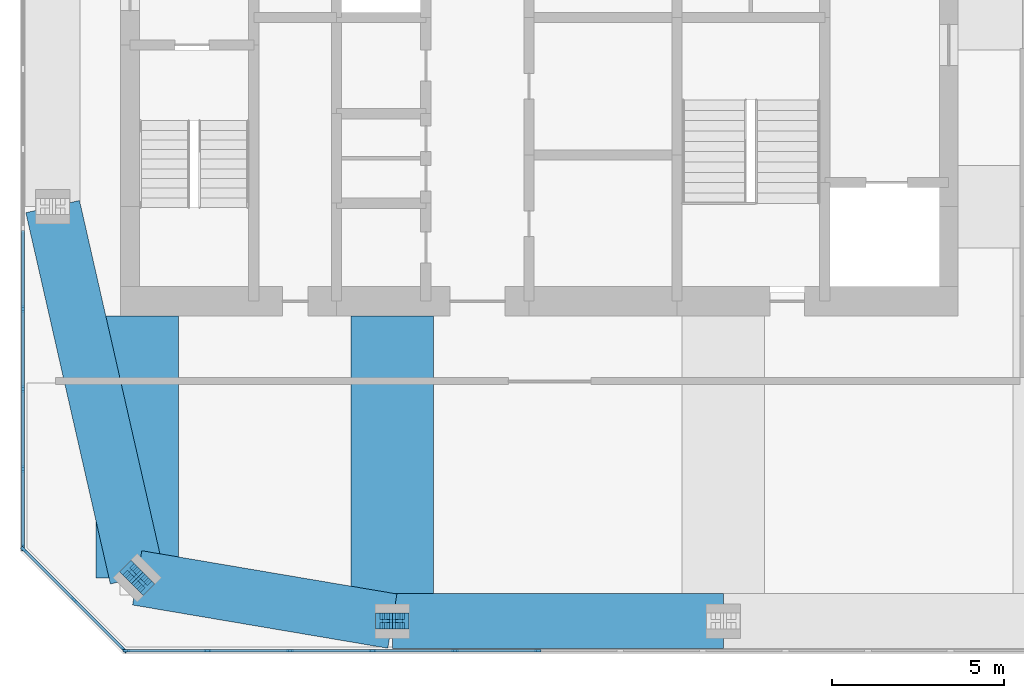
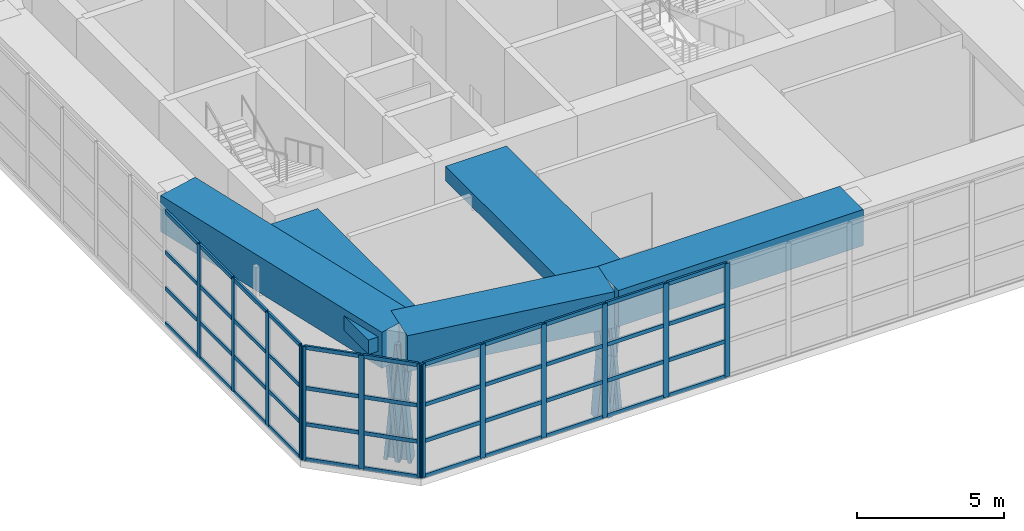
# One storey, part 2 of 14: 65 members, 5 beams, 3 elements without a shape of their own.
"""IFC4 building model written with IfcOpenShell, lengths in metres."""

from ifc_helpers import new_model, si_unit, direction, frame, origin, origin_2d, place, context, subcontext, project, spatial, rectangle, i_section, extrude, material, material_profile, profile_set, type_object, element, aggregate, save


model = new_model("IFC4")

# Units and contexts
model_context = context("Model", 3, precision=1e-05, world=origin(), true_north=direction((0.0, 1.0)))
body_context = subcontext(model_context, "Body", "Model", "MODEL_VIEW")
ifc_project = project(units=[si_unit("LENGTHUNIT", "METRE"), si_unit("AREAUNIT", "SQUARE_METRE"), si_unit("VOLUMEUNIT", "CUBIC_METRE"), si_unit("PLANEANGLEUNIT", "RADIAN"), si_unit("MASSUNIT", "GRAM", prefix="KILO")], contexts=[model_context])

# Site, building, storey
site_placement = place(None, origin())
site = spatial("IfcSite", under=ifc_project, at=site_placement, CompositionType="ELEMENT")
building_placement = place(site_placement, origin())
building = spatial("IfcBuilding", under=site, at=building_placement, Name="Jalousie Tower", CompositionType="ELEMENT")
storey_placement = place(building_placement, frame((0.0, 0.0, 267.75)))
storey = spatial("IfcBuildingStorey", under=building, at=storey_placement, Name="L73", CompositionType="ELEMENT", Elevation=267.75)

# Curtain wall, members
ifc_material_1 = material(Name="Aluminium curtain wall", Category="aluminium")
curtain_wall_type = type_object("IfcCurtainWallType", Name="CROWN LOUVRE WALL", PredefinedType="USERDEFINED", material=ifc_material_1)
curtain_wall_1_placement = place(storey_placement, origin())
curtain_wall_1 = element("IfcCurtainWall", 1, at=curtain_wall_1_placement, inside=storey, type_object=curtain_wall_type, Name="Crown Louvre Wall L73 1", ObjectType="CROWN LOUVRE WALL", PredefinedType="USERDEFINED")
ifc_material_2 = material(Name="Aluminium mullion", Category="aluminium")
ifc_material_profile_1 = material_profile(ifc_material_2, rectangle(XDim=0.080078125, YDim=0.199951171875, at=origin_2d()), Name="MULLION 80x200")
ifc_profile_set_1 = profile_set([ifc_material_profile_1], Name="Aluminium mullion")
member_type_1 = type_object("IfcMemberType", Name="CROWN LOUVRE WALL MULLION", PredefinedType="MULLION", material=ifc_profile_set_1)
member_1_placement = place(storey_placement, frame((19.891357421875, 0.08740234375, 0.0), z_axis=(0.0, 0.0, 1.0), x_axis=(0.0, 1.0, 0.0)))
member_1 = element("IfcMember", 2, at=member_1_placement, type_object=member_type_1, Name="CW-L mullion 1", PredefinedType="MULLION", context=body_context, shape_type="SweptSolid", body=[
    extrude(rectangle(XDim=0.080078125, YDim=0.199951171875, at=origin_2d()), origin(), (0.0, 0.0, 1.0), 4.719970703125),
])
member_2_placement = place(storey_placement, frame((22.251220703125, 0.08740234375, 0.0), z_axis=(0.0, 0.0, 1.0), x_axis=(0.0, 1.0, 0.0)))
member_2 = element("IfcMember", 3, at=member_2_placement, type_object=member_type_1, Name="CW-L mullion 2", PredefinedType="MULLION", context=body_context, shape_type="SweptSolid", body=[
    extrude(rectangle(XDim=0.080078125, YDim=0.199951171875, at=origin_2d()), origin(), (0.0, 0.0, 1.0), 4.719970703125),
])
member_3_placement = place(storey_placement, frame((24.65087890625, 0.08740234375, 0.0), z_axis=(0.0, 0.0, 1.0), x_axis=(0.0, 1.0, 0.0)))
member_3 = element("IfcMember", 4, at=member_3_placement, type_object=member_type_1, Name="CW-L mullion 3", PredefinedType="MULLION", context=body_context, shape_type="SweptSolid", body=[
    extrude(rectangle(XDim=0.080078125, YDim=0.199951171875, at=origin_2d()), origin(), (0.0, 0.0, 1.0), 4.719970703125),
])
member_4_placement = place(storey_placement, frame((27.05078125, 0.08740234375, 0.0), z_axis=(0.0, 0.0, 1.0), x_axis=(0.0, 1.0, 0.0)))
member_4 = element("IfcMember", 5, at=member_4_placement, type_object=member_type_1, Name="CW-L mullion 4", PredefinedType="MULLION", context=body_context, shape_type="SweptSolid", body=[
    extrude(rectangle(XDim=0.080078125, YDim=0.199951171875, at=origin_2d()), origin(), (0.0, 0.0, 1.0), 4.719970703125),
])
member_5_placement = place(storey_placement, frame((29.450439453125, 0.08740234375, 0.0), z_axis=(0.0, 0.0, 1.0), x_axis=(0.0, 1.0, 0.0)))
member_5 = element("IfcMember", 6, at=member_5_placement, type_object=member_type_1, Name="CW-L mullion 5", PredefinedType="MULLION", context=body_context, shape_type="SweptSolid", body=[
    extrude(rectangle(XDim=0.080078125, YDim=0.199951171875, at=origin_2d()), origin(), (0.0, 0.0, 1.0), 4.719970703125),
])
member_6_placement = place(storey_placement, frame((31.850341796875, 0.08740234375, 0.0), z_axis=(0.0, 0.0, 1.0), x_axis=(0.0, 1.0, 0.0)))
member_6 = element("IfcMember", 7, at=member_6_placement, type_object=member_type_1, Name="CW-L mullion 6", PredefinedType="MULLION", context=body_context, shape_type="SweptSolid", body=[
    extrude(rectangle(XDim=0.080078125, YDim=0.199951171875, at=origin_2d()), origin(), (0.0, 0.0, 1.0), 4.719970703125),
])

curtain_wall_2_placement = place(storey_placement, origin())
curtain_wall_2 = element("IfcCurtainWall", 8, at=curtain_wall_2_placement, inside=storey, type_object=curtain_wall_type, Name="Crown Louvre Wall L73 7", ObjectType="CROWN LOUVRE WALL", PredefinedType="USERDEFINED")
member_7_placement = place(storey_placement, frame((16.887451171875, 10.025634765625, 0.0), z_axis=(0.0, 0.0, 1.0), x_axis=(1.0, 0.0, 0.0)))
member_7 = element("IfcMember", 9, at=member_7_placement, type_object=member_type_1, Name="CW-L mullion 10", PredefinedType="MULLION", context=body_context, shape_type="SweptSolid", body=[
    extrude(rectangle(XDim=0.080078125, YDim=0.199951171875, at=origin_2d()), origin(), (0.0, 0.0, 1.0), 4.719970703125),
])
member_8_placement = place(storey_placement, frame((16.887451171875, 7.700927734375, 0.0), z_axis=(0.0, 0.0, 1.0), x_axis=(1.0, 0.0, 0.0)))
member_8 = element("IfcMember", 10, at=member_8_placement, type_object=member_type_1, Name="CW-L mullion 11", PredefinedType="MULLION", context=body_context, shape_type="SweptSolid", body=[
    extrude(rectangle(XDim=0.080078125, YDim=0.199951171875, at=origin_2d()), origin(), (0.0, 0.0, 1.0), 4.719970703125),
])
member_9_placement = place(storey_placement, frame((16.887451171875, 5.3759765625, 0.0), z_axis=(0.0, 0.0, 1.0), x_axis=(1.0, 0.0, 0.0)))
member_9 = element("IfcMember", 11, at=member_9_placement, type_object=member_type_1, Name="CW-L mullion 12", PredefinedType="MULLION", context=body_context, shape_type="SweptSolid", body=[
    extrude(rectangle(XDim=0.080078125, YDim=0.199951171875, at=origin_2d()), origin(), (0.0, 0.0, 1.0), 4.719970703125),
])
member_10_placement = place(storey_placement, frame((16.887451171875, 3.09130859375, 0.0), z_axis=(0.0, 0.0, 1.0), x_axis=(1.0, 0.0, 0.0)))
member_10 = element("IfcMember", 12, at=member_10_placement, type_object=member_type_1, Name="CW-L mullion 13", PredefinedType="MULLION", context=body_context, shape_type="SweptSolid", body=[
    extrude(rectangle(XDim=0.080078125, YDim=0.199951171875, at=origin_2d()), origin(), (0.0, 0.0, 1.0), 4.719970703125),
])

curtain_wall_3_placement = place(storey_placement, origin())
curtain_wall_3 = element("IfcCurtainWall", 13, at=curtain_wall_3_placement, inside=storey, type_object=curtain_wall_type, Name="Crown Louvre Wall L73 8", ObjectType="CROWN LOUVRE WALL", PredefinedType="USERDEFINED")
member_11_placement = place(storey_placement, frame((16.915771484375, 3.02294921875, 0.0), z_axis=(0.0, 0.0, 1.0), x_axis=(0.707106781187, 0.707106781187, 0.0)))
member_11 = element("IfcMember", 14, at=member_11_placement, type_object=member_type_1, Name="CW-L mullion 1", PredefinedType="MULLION", context=body_context, shape_type="SweptSolid", body=[
    extrude(rectangle(XDim=0.080078125, YDim=0.199951171875, at=origin_2d()), origin(), (0.0, 0.0, 1.0), 4.719970703125),
])
member_12_placement = place(storey_placement, frame((18.369384765625, 1.5693359375, 0.0), z_axis=(0.0, 0.0, 1.0), x_axis=(0.707106781187, 0.707106781187, 0.0)))
member_12 = element("IfcMember", 15, at=member_12_placement, type_object=member_type_1, Name="CW-L mullion 2", PredefinedType="MULLION", context=body_context, shape_type="SweptSolid", body=[
    extrude(rectangle(XDim=0.080078125, YDim=0.199951171875, at=origin_2d()), origin(), (0.0, 0.0, 1.0), 4.719970703125),
])
member_13_placement = place(storey_placement, frame((19.822998046875, 0.11572265625, 0.0), z_axis=(0.0, 0.0, 1.0), x_axis=(0.707106781187, 0.707106781187, 0.0)))
member_13 = element("IfcMember", 16, at=member_13_placement, type_object=member_type_1, Name="CW-L mullion 3", PredefinedType="MULLION", context=body_context, shape_type="SweptSolid", body=[
    extrude(rectangle(XDim=0.080078125, YDim=0.199951171875, at=origin_2d()), origin(), (0.0, 0.0, 1.0), 4.719970703125),
])

# Member
ifc_material_3 = material(Name="Aluminium transom", Category="aluminium")
ifc_material_profile_2 = material_profile(ifc_material_3, rectangle(XDim=0.080078125, YDim=0.159912109375, at=origin_2d()), Name="TRANSOM 80x160")
ifc_profile_set_2 = profile_set([ifc_material_profile_2], Name="Aluminium transom")
member_type_2 = type_object("IfcMemberType", Name="CROWN LOUVRE WALL TRANSOM", PredefinedType="USERDEFINED", material=ifc_profile_set_2)
member_14_placement = place(storey_placement, frame((19.931396484375, 0.08740234375, 0.0400390625), z_axis=(1.0, 0.0, 0.0), x_axis=(0.0, 1.0, 0.0)))
member_14 = element("IfcMember", 17, at=member_14_placement, type_object=member_type_2, Name="CW-L transom 1.1", ObjectType="TRANSOM", PredefinedType="USERDEFINED", context=body_context, shape_type="SweptSolid", body=[
    extrude(rectangle(XDim=0.080078125, YDim=0.159912109375, at=origin_2d()), origin(), (0.0, 0.0, 1.0), 2.27978515625),
])

member_15_placement = place(storey_placement, frame((19.931396484375, 0.08740234375, 1.5), z_axis=(1.0, 0.0, 0.0), x_axis=(0.0, 1.0, 0.0)))
member_15 = element("IfcMember", 18, at=member_15_placement, type_object=member_type_2, Name="CW-L transom 1.2", ObjectType="TRANSOM", PredefinedType="USERDEFINED", context=body_context, shape_type="SweptSolid", body=[
    extrude(rectangle(XDim=0.080078125, YDim=0.159912109375, at=origin_2d()), origin(), (0.0, 0.0, 1.0), 2.27978515625),
])

member_16_placement = place(storey_placement, frame((19.931396484375, 0.08740234375, 3.0), z_axis=(1.0, 0.0, 0.0), x_axis=(0.0, 1.0, 0.0)))
member_16 = element("IfcMember", 19, at=member_16_placement, type_object=member_type_2, Name="CW-L transom 1.3", ObjectType="TRANSOM", PredefinedType="USERDEFINED", context=body_context, shape_type="SweptSolid", body=[
    extrude(rectangle(XDim=0.080078125, YDim=0.159912109375, at=origin_2d()), origin(), (0.0, 0.0, 1.0), 2.27978515625),
])

member_17_placement = place(storey_placement, frame((19.931396484375, 0.08740234375, 4.679931640625), z_axis=(1.0, 0.0, 0.0), x_axis=(0.0, 1.0, 0.0)))
member_17 = element("IfcMember", 20, at=member_17_placement, type_object=member_type_2, Name="CW-L transom 1.4", ObjectType="TRANSOM", PredefinedType="USERDEFINED", context=body_context, shape_type="SweptSolid", body=[
    extrude(rectangle(XDim=0.080078125, YDim=0.159912109375, at=origin_2d()), origin(), (0.0, 0.0, 1.0), 2.27978515625),
])

member_18_placement = place(storey_placement, frame((22.291015625, 0.08740234375, 0.0400390625), z_axis=(1.0, 0.0, 0.0), x_axis=(0.0, 1.0, 0.0)))
member_18 = element("IfcMember", 21, at=member_18_placement, type_object=member_type_2, Name="CW-L transom 2.1", ObjectType="TRANSOM", PredefinedType="USERDEFINED", context=body_context, shape_type="SweptSolid", body=[
    extrude(rectangle(XDim=0.080078125, YDim=0.159912109375, at=origin_2d()), origin(), (0.0, 0.0, 1.0), 2.31982421875),
])

member_19_placement = place(storey_placement, frame((22.291015625, 0.08740234375, 1.5), z_axis=(1.0, 0.0, 0.0), x_axis=(0.0, 1.0, 0.0)))
member_19 = element("IfcMember", 22, at=member_19_placement, type_object=member_type_2, Name="CW-L transom 2.2", ObjectType="TRANSOM", PredefinedType="USERDEFINED", context=body_context, shape_type="SweptSolid", body=[
    extrude(rectangle(XDim=0.080078125, YDim=0.159912109375, at=origin_2d()), origin(), (0.0, 0.0, 1.0), 2.31982421875),
])

member_20_placement = place(storey_placement, frame((22.291015625, 0.08740234375, 3.0), z_axis=(1.0, 0.0, 0.0), x_axis=(0.0, 1.0, 0.0)))
member_20 = element("IfcMember", 23, at=member_20_placement, type_object=member_type_2, Name="CW-L transom 2.3", ObjectType="TRANSOM", PredefinedType="USERDEFINED", context=body_context, shape_type="SweptSolid", body=[
    extrude(rectangle(XDim=0.080078125, YDim=0.159912109375, at=origin_2d()), origin(), (0.0, 0.0, 1.0), 2.31982421875),
])

member_21_placement = place(storey_placement, frame((22.291015625, 0.08740234375, 4.679931640625), z_axis=(1.0, 0.0, 0.0), x_axis=(0.0, 1.0, 0.0)))
member_21 = element("IfcMember", 24, at=member_21_placement, type_object=member_type_2, Name="CW-L transom 2.4", ObjectType="TRANSOM", PredefinedType="USERDEFINED", context=body_context, shape_type="SweptSolid", body=[
    extrude(rectangle(XDim=0.080078125, YDim=0.159912109375, at=origin_2d()), origin(), (0.0, 0.0, 1.0), 2.31982421875),
])

member_22_placement = place(storey_placement, frame((24.69091796875, 0.08740234375, 0.0400390625), z_axis=(1.0, 0.0, 0.0), x_axis=(0.0, 1.0, 0.0)))
member_22 = element("IfcMember", 25, at=member_22_placement, type_object=member_type_2, Name="CW-L transom 3.1", ObjectType="TRANSOM", PredefinedType="USERDEFINED", context=body_context, shape_type="SweptSolid", body=[
    extrude(rectangle(XDim=0.080078125, YDim=0.159912109375, at=origin_2d()), origin(), (0.0, 0.0, 1.0), 2.31982421875),
])

member_23_placement = place(storey_placement, frame((24.69091796875, 0.08740234375, 1.5), z_axis=(1.0, 0.0, 0.0), x_axis=(0.0, 1.0, 0.0)))
member_23 = element("IfcMember", 26, at=member_23_placement, type_object=member_type_2, Name="CW-L transom 3.2", ObjectType="TRANSOM", PredefinedType="USERDEFINED", context=body_context, shape_type="SweptSolid", body=[
    extrude(rectangle(XDim=0.080078125, YDim=0.159912109375, at=origin_2d()), origin(), (0.0, 0.0, 1.0), 2.31982421875),
])

member_24_placement = place(storey_placement, frame((24.69091796875, 0.08740234375, 3.0), z_axis=(1.0, 0.0, 0.0), x_axis=(0.0, 1.0, 0.0)))
member_24 = element("IfcMember", 27, at=member_24_placement, type_object=member_type_2, Name="CW-L transom 3.3", ObjectType="TRANSOM", PredefinedType="USERDEFINED", context=body_context, shape_type="SweptSolid", body=[
    extrude(rectangle(XDim=0.080078125, YDim=0.159912109375, at=origin_2d()), origin(), (0.0, 0.0, 1.0), 2.31982421875),
])

member_25_placement = place(storey_placement, frame((24.69091796875, 0.08740234375, 4.679931640625), z_axis=(1.0, 0.0, 0.0), x_axis=(0.0, 1.0, 0.0)))
member_25 = element("IfcMember", 28, at=member_25_placement, type_object=member_type_2, Name="CW-L transom 3.4", ObjectType="TRANSOM", PredefinedType="USERDEFINED", context=body_context, shape_type="SweptSolid", body=[
    extrude(rectangle(XDim=0.080078125, YDim=0.159912109375, at=origin_2d()), origin(), (0.0, 0.0, 1.0), 2.31982421875),
])

member_26_placement = place(storey_placement, frame((27.0908203125, 0.08740234375, 0.0400390625), z_axis=(1.0, 0.0, 0.0), x_axis=(0.0, 1.0, 0.0)))
member_26 = element("IfcMember", 29, at=member_26_placement, type_object=member_type_2, Name="CW-L transom 4.1", ObjectType="TRANSOM", PredefinedType="USERDEFINED", context=body_context, shape_type="SweptSolid", body=[
    extrude(rectangle(XDim=0.080078125, YDim=0.159912109375, at=origin_2d()), origin(), (0.0, 0.0, 1.0), 2.31982421875),
])

member_27_placement = place(storey_placement, frame((27.0908203125, 0.08740234375, 1.5), z_axis=(1.0, 0.0, 0.0), x_axis=(0.0, 1.0, 0.0)))
member_27 = element("IfcMember", 30, at=member_27_placement, type_object=member_type_2, Name="CW-L transom 4.2", ObjectType="TRANSOM", PredefinedType="USERDEFINED", context=body_context, shape_type="SweptSolid", body=[
    extrude(rectangle(XDim=0.080078125, YDim=0.159912109375, at=origin_2d()), origin(), (0.0, 0.0, 1.0), 2.31982421875),
])

member_28_placement = place(storey_placement, frame((27.0908203125, 0.08740234375, 3.0), z_axis=(1.0, 0.0, 0.0), x_axis=(0.0, 1.0, 0.0)))
member_28 = element("IfcMember", 31, at=member_28_placement, type_object=member_type_2, Name="CW-L transom 4.3", ObjectType="TRANSOM", PredefinedType="USERDEFINED", context=body_context, shape_type="SweptSolid", body=[
    extrude(rectangle(XDim=0.080078125, YDim=0.159912109375, at=origin_2d()), origin(), (0.0, 0.0, 1.0), 2.31982421875),
])

member_29_placement = place(storey_placement, frame((27.0908203125, 0.08740234375, 4.679931640625), z_axis=(1.0, 0.0, 0.0), x_axis=(0.0, 1.0, 0.0)))
member_29 = element("IfcMember", 32, at=member_29_placement, type_object=member_type_2, Name="CW-L transom 4.4", ObjectType="TRANSOM", PredefinedType="USERDEFINED", context=body_context, shape_type="SweptSolid", body=[
    extrude(rectangle(XDim=0.080078125, YDim=0.159912109375, at=origin_2d()), origin(), (0.0, 0.0, 1.0), 2.31982421875),
])

member_30_placement = place(storey_placement, frame((29.490478515625, 0.08740234375, 0.0400390625), z_axis=(1.0, 0.0, 0.0), x_axis=(0.0, 1.0, 0.0)))
member_30 = element("IfcMember", 33, at=member_30_placement, type_object=member_type_2, Name="CW-L transom 5.1", ObjectType="TRANSOM", PredefinedType="USERDEFINED", context=body_context, shape_type="SweptSolid", body=[
    extrude(rectangle(XDim=0.080078125, YDim=0.159912109375, at=origin_2d()), origin(), (0.0, 0.0, 1.0), 2.31982421875),
])

member_31_placement = place(storey_placement, frame((29.490478515625, 0.08740234375, 1.5), z_axis=(1.0, 0.0, 0.0), x_axis=(0.0, 1.0, 0.0)))
member_31 = element("IfcMember", 34, at=member_31_placement, type_object=member_type_2, Name="CW-L transom 5.2", ObjectType="TRANSOM", PredefinedType="USERDEFINED", context=body_context, shape_type="SweptSolid", body=[
    extrude(rectangle(XDim=0.080078125, YDim=0.159912109375, at=origin_2d()), origin(), (0.0, 0.0, 1.0), 2.31982421875),
])

member_32_placement = place(storey_placement, frame((29.490478515625, 0.08740234375, 3.0), z_axis=(1.0, 0.0, 0.0), x_axis=(0.0, 1.0, 0.0)))
member_32 = element("IfcMember", 35, at=member_32_placement, type_object=member_type_2, Name="CW-L transom 5.3", ObjectType="TRANSOM", PredefinedType="USERDEFINED", context=body_context, shape_type="SweptSolid", body=[
    extrude(rectangle(XDim=0.080078125, YDim=0.159912109375, at=origin_2d()), origin(), (0.0, 0.0, 1.0), 2.31982421875),
])

member_33_placement = place(storey_placement, frame((29.490478515625, 0.08740234375, 4.679931640625), z_axis=(1.0, 0.0, 0.0), x_axis=(0.0, 1.0, 0.0)))
member_33 = element("IfcMember", 36, at=member_33_placement, type_object=member_type_2, Name="CW-L transom 5.4", ObjectType="TRANSOM", PredefinedType="USERDEFINED", context=body_context, shape_type="SweptSolid", body=[
    extrude(rectangle(XDim=0.080078125, YDim=0.159912109375, at=origin_2d()), origin(), (0.0, 0.0, 1.0), 2.31982421875),
])

aggregate(curtain_wall_1, [member_1, member_2, member_3, member_4, member_5, member_6, member_14, member_15, member_16, member_17, member_18, member_19, member_20, member_21, member_22, member_23, member_24, member_25, member_26, member_27, member_28, member_29, member_30, member_31, member_32, member_33])

member_34_placement = place(storey_placement, frame((16.887451171875, 12.310546875, 0.0400390625), z_axis=(0.0, -1.0, 0.0), x_axis=(1.0, 0.0, 0.0)))
member_34 = element("IfcMember", 37, at=member_34_placement, type_object=member_type_2, Name="CW-L transom 9.1", ObjectType="TRANSOM", PredefinedType="USERDEFINED", context=body_context, shape_type="SweptSolid", body=[
    extrude(rectangle(XDim=0.080078125, YDim=0.159912109375, at=origin_2d()), origin(), (0.0, 0.0, 1.0), 2.244873046875),
])

member_35_placement = place(storey_placement, frame((16.887451171875, 12.310546875, 1.5), z_axis=(0.0, -1.0, 0.0), x_axis=(1.0, 0.0, 0.0)))
member_35 = element("IfcMember", 38, at=member_35_placement, type_object=member_type_2, Name="CW-L transom 9.2", ObjectType="TRANSOM", PredefinedType="USERDEFINED", context=body_context, shape_type="SweptSolid", body=[
    extrude(rectangle(XDim=0.080078125, YDim=0.159912109375, at=origin_2d()), origin(), (0.0, 0.0, 1.0), 2.244873046875),
])

member_36_placement = place(storey_placement, frame((16.887451171875, 12.310546875, 3.0), z_axis=(0.0, -1.0, 0.0), x_axis=(1.0, 0.0, 0.0)))
member_36 = element("IfcMember", 39, at=member_36_placement, type_object=member_type_2, Name="CW-L transom 9.3", ObjectType="TRANSOM", PredefinedType="USERDEFINED", context=body_context, shape_type="SweptSolid", body=[
    extrude(rectangle(XDim=0.080078125, YDim=0.159912109375, at=origin_2d()), origin(), (0.0, 0.0, 1.0), 2.244873046875),
])

member_37_placement = place(storey_placement, frame((16.887451171875, 12.310546875, 4.679931640625), z_axis=(0.0, -1.0, 0.0), x_axis=(1.0, 0.0, 0.0)))
member_37 = element("IfcMember", 40, at=member_37_placement, type_object=member_type_2, Name="CW-L transom 9.4", ObjectType="TRANSOM", PredefinedType="USERDEFINED", context=body_context, shape_type="SweptSolid", body=[
    extrude(rectangle(XDim=0.080078125, YDim=0.159912109375, at=origin_2d()), origin(), (0.0, 0.0, 1.0), 2.244873046875),
])

member_38_placement = place(storey_placement, frame((16.887451171875, 9.985595703125, 0.0400390625), z_axis=(0.0, -1.0, 0.0), x_axis=(1.0, 0.0, 0.0)))
member_38 = element("IfcMember", 41, at=member_38_placement, type_object=member_type_2, Name="CW-L transom 10.1", ObjectType="TRANSOM", PredefinedType="USERDEFINED", context=body_context, shape_type="SweptSolid", body=[
    extrude(rectangle(XDim=0.080078125, YDim=0.159912109375, at=origin_2d()), origin(), (0.0, 0.0, 1.0), 2.24462890625),
])

member_39_placement = place(storey_placement, frame((16.887451171875, 9.985595703125, 1.5), z_axis=(0.0, -1.0, 0.0), x_axis=(1.0, 0.0, 0.0)))
member_39 = element("IfcMember", 42, at=member_39_placement, type_object=member_type_2, Name="CW-L transom 10.2", ObjectType="TRANSOM", PredefinedType="USERDEFINED", context=body_context, shape_type="SweptSolid", body=[
    extrude(rectangle(XDim=0.080078125, YDim=0.159912109375, at=origin_2d()), origin(), (0.0, 0.0, 1.0), 2.24462890625),
])

member_40_placement = place(storey_placement, frame((16.887451171875, 9.985595703125, 3.0), z_axis=(0.0, -1.0, 0.0), x_axis=(1.0, 0.0, 0.0)))
member_40 = element("IfcMember", 43, at=member_40_placement, type_object=member_type_2, Name="CW-L transom 10.3", ObjectType="TRANSOM", PredefinedType="USERDEFINED", context=body_context, shape_type="SweptSolid", body=[
    extrude(rectangle(XDim=0.080078125, YDim=0.159912109375, at=origin_2d()), origin(), (0.0, 0.0, 1.0), 2.24462890625),
])

member_41_placement = place(storey_placement, frame((16.887451171875, 9.985595703125, 4.679931640625), z_axis=(0.0, -1.0, 0.0), x_axis=(1.0, 0.0, 0.0)))
member_41 = element("IfcMember", 44, at=member_41_placement, type_object=member_type_2, Name="CW-L transom 10.4", ObjectType="TRANSOM", PredefinedType="USERDEFINED", context=body_context, shape_type="SweptSolid", body=[
    extrude(rectangle(XDim=0.080078125, YDim=0.159912109375, at=origin_2d()), origin(), (0.0, 0.0, 1.0), 2.24462890625),
])

member_42_placement = place(storey_placement, frame((16.887451171875, 7.660888671875, 0.0400390625), z_axis=(0.0, -1.0, 0.0), x_axis=(1.0, 0.0, 0.0)))
member_42 = element("IfcMember", 45, at=member_42_placement, type_object=member_type_2, Name="CW-L transom 11.1", ObjectType="TRANSOM", PredefinedType="USERDEFINED", context=body_context, shape_type="SweptSolid", body=[
    extrude(rectangle(XDim=0.080078125, YDim=0.159912109375, at=origin_2d()), origin(), (0.0, 0.0, 1.0), 2.244873046875),
])

member_43_placement = place(storey_placement, frame((16.887451171875, 7.660888671875, 1.5), z_axis=(0.0, -1.0, 0.0), x_axis=(1.0, 0.0, 0.0)))
member_43 = element("IfcMember", 46, at=member_43_placement, type_object=member_type_2, Name="CW-L transom 11.2", ObjectType="TRANSOM", PredefinedType="USERDEFINED", context=body_context, shape_type="SweptSolid", body=[
    extrude(rectangle(XDim=0.080078125, YDim=0.159912109375, at=origin_2d()), origin(), (0.0, 0.0, 1.0), 2.244873046875),
])

member_44_placement = place(storey_placement, frame((16.887451171875, 7.660888671875, 3.0), z_axis=(0.0, -1.0, 0.0), x_axis=(1.0, 0.0, 0.0)))
member_44 = element("IfcMember", 47, at=member_44_placement, type_object=member_type_2, Name="CW-L transom 11.3", ObjectType="TRANSOM", PredefinedType="USERDEFINED", context=body_context, shape_type="SweptSolid", body=[
    extrude(rectangle(XDim=0.080078125, YDim=0.159912109375, at=origin_2d()), origin(), (0.0, 0.0, 1.0), 2.244873046875),
])

member_45_placement = place(storey_placement, frame((16.887451171875, 7.660888671875, 4.679931640625), z_axis=(0.0, -1.0, 0.0), x_axis=(1.0, 0.0, 0.0)))
member_45 = element("IfcMember", 48, at=member_45_placement, type_object=member_type_2, Name="CW-L transom 11.4", ObjectType="TRANSOM", PredefinedType="USERDEFINED", context=body_context, shape_type="SweptSolid", body=[
    extrude(rectangle(XDim=0.080078125, YDim=0.159912109375, at=origin_2d()), origin(), (0.0, 0.0, 1.0), 2.244873046875),
])

member_46_placement = place(storey_placement, frame((16.887451171875, 5.336181640625, 0.0400390625), z_axis=(0.0, -1.0, 0.0), x_axis=(1.0, 0.0, 0.0)))
member_46 = element("IfcMember", 49, at=member_46_placement, type_object=member_type_2, Name="CW-L transom 12.1", ObjectType="TRANSOM", PredefinedType="USERDEFINED", context=body_context, shape_type="SweptSolid", body=[
    extrude(rectangle(XDim=0.080078125, YDim=0.159912109375, at=origin_2d()), origin(), (0.0, 0.0, 1.0), 2.204833984375),
])

member_47_placement = place(storey_placement, frame((16.887451171875, 5.336181640625, 1.5), z_axis=(0.0, -1.0, 0.0), x_axis=(1.0, 0.0, 0.0)))
member_47 = element("IfcMember", 50, at=member_47_placement, type_object=member_type_2, Name="CW-L transom 12.2", ObjectType="TRANSOM", PredefinedType="USERDEFINED", context=body_context, shape_type="SweptSolid", body=[
    extrude(rectangle(XDim=0.080078125, YDim=0.159912109375, at=origin_2d()), origin(), (0.0, 0.0, 1.0), 2.204833984375),
])

member_48_placement = place(storey_placement, frame((16.887451171875, 5.336181640625, 3.0), z_axis=(0.0, -1.0, 0.0), x_axis=(1.0, 0.0, 0.0)))
member_48 = element("IfcMember", 51, at=member_48_placement, type_object=member_type_2, Name="CW-L transom 12.3", ObjectType="TRANSOM", PredefinedType="USERDEFINED", context=body_context, shape_type="SweptSolid", body=[
    extrude(rectangle(XDim=0.080078125, YDim=0.159912109375, at=origin_2d()), origin(), (0.0, 0.0, 1.0), 2.204833984375),
])

member_49_placement = place(storey_placement, frame((16.887451171875, 5.336181640625, 4.679931640625), z_axis=(0.0, -1.0, 0.0), x_axis=(1.0, 0.0, 0.0)))
member_49 = element("IfcMember", 52, at=member_49_placement, type_object=member_type_2, Name="CW-L transom 12.4", ObjectType="TRANSOM", PredefinedType="USERDEFINED", context=body_context, shape_type="SweptSolid", body=[
    extrude(rectangle(XDim=0.080078125, YDim=0.159912109375, at=origin_2d()), origin(), (0.0, 0.0, 1.0), 2.204833984375),
])

aggregate(curtain_wall_2, [member_7, member_8, member_9, member_10, member_34, member_35, member_36, member_37, member_38, member_39, member_40, member_41, member_42, member_43, member_44, member_45, member_46, member_47, member_48, member_49])

member_50_placement = place(storey_placement, frame((16.944091796875, 2.99462890625, 0.0400390625), z_axis=(0.707106781187, -0.707106781187, 0.0), x_axis=(0.707106781187, 0.707106781187, 0.0)))
member_50 = element("IfcMember", 53, at=member_50_placement, type_object=member_type_2, Name="CW-L transom 1.1", ObjectType="TRANSOM", PredefinedType="USERDEFINED", context=body_context, shape_type="SweptSolid", body=[
    extrude(rectangle(XDim=0.080078125, YDim=0.159912109375, at=origin_2d()), origin(), (0.0, 0.0, 1.0), 1.9755859375),
])

member_51_placement = place(storey_placement, frame((16.944091796875, 2.99462890625, 1.5), z_axis=(0.707106781187, -0.707106781187, 0.0), x_axis=(0.707106781187, 0.707106781187, 0.0)))
member_51 = element("IfcMember", 54, at=member_51_placement, type_object=member_type_2, Name="CW-L transom 1.2", ObjectType="TRANSOM", PredefinedType="USERDEFINED", context=body_context, shape_type="SweptSolid", body=[
    extrude(rectangle(XDim=0.080078125, YDim=0.159912109375, at=origin_2d()), origin(), (0.0, 0.0, 1.0), 1.9755859375),
])

member_52_placement = place(storey_placement, frame((16.944091796875, 2.99462890625, 3.0), z_axis=(0.707106781187, -0.707106781187, 0.0), x_axis=(0.707106781187, 0.707106781187, 0.0)))
member_52 = element("IfcMember", 55, at=member_52_placement, type_object=member_type_2, Name="CW-L transom 1.3", ObjectType="TRANSOM", PredefinedType="USERDEFINED", context=body_context, shape_type="SweptSolid", body=[
    extrude(rectangle(XDim=0.080078125, YDim=0.159912109375, at=origin_2d()), origin(), (0.0, 0.0, 1.0), 1.9755859375),
])

member_53_placement = place(storey_placement, frame((16.944091796875, 2.99462890625, 4.679931640625), z_axis=(0.707106781187, -0.707106781187, 0.0), x_axis=(0.707106781187, 0.707106781187, 0.0)))
member_53 = element("IfcMember", 56, at=member_53_placement, type_object=member_type_2, Name="CW-L transom 1.4", ObjectType="TRANSOM", PredefinedType="USERDEFINED", context=body_context, shape_type="SweptSolid", body=[
    extrude(rectangle(XDim=0.080078125, YDim=0.159912109375, at=origin_2d()), origin(), (0.0, 0.0, 1.0), 1.9755859375),
])

member_54_placement = place(storey_placement, frame((18.397705078125, 1.541015625, 0.0400390625), z_axis=(0.707106781187, -0.707106781187, 0.0), x_axis=(0.707106781187, 0.707106781187, 0.0)))
member_54 = element("IfcMember", 57, at=member_54_placement, type_object=member_type_2, Name="CW-L transom 2.1", ObjectType="TRANSOM", PredefinedType="USERDEFINED", context=body_context, shape_type="SweptSolid", body=[
    extrude(rectangle(XDim=0.080078125, YDim=0.159912109375, at=origin_2d()), origin(), (0.0, 0.0, 1.0), 1.9755859375),
])

member_55_placement = place(storey_placement, frame((18.397705078125, 1.541015625, 1.5), z_axis=(0.707106781187, -0.707106781187, 0.0), x_axis=(0.707106781187, 0.707106781187, 0.0)))
member_55 = element("IfcMember", 58, at=member_55_placement, type_object=member_type_2, Name="CW-L transom 2.2", ObjectType="TRANSOM", PredefinedType="USERDEFINED", context=body_context, shape_type="SweptSolid", body=[
    extrude(rectangle(XDim=0.080078125, YDim=0.159912109375, at=origin_2d()), origin(), (0.0, 0.0, 1.0), 1.9755859375),
])

member_56_placement = place(storey_placement, frame((18.397705078125, 1.541015625, 3.0), z_axis=(0.707106781187, -0.707106781187, 0.0), x_axis=(0.707106781187, 0.707106781187, 0.0)))
member_56 = element("IfcMember", 59, at=member_56_placement, type_object=member_type_2, Name="CW-L transom 2.3", ObjectType="TRANSOM", PredefinedType="USERDEFINED", context=body_context, shape_type="SweptSolid", body=[
    extrude(rectangle(XDim=0.080078125, YDim=0.159912109375, at=origin_2d()), origin(), (0.0, 0.0, 1.0), 1.9755859375),
])

member_57_placement = place(storey_placement, frame((18.397705078125, 1.541015625, 4.679931640625), z_axis=(0.707106781187, -0.707106781187, 0.0), x_axis=(0.707106781187, 0.707106781187, 0.0)))
member_57 = element("IfcMember", 60, at=member_57_placement, type_object=member_type_2, Name="CW-L transom 2.4", ObjectType="TRANSOM", PredefinedType="USERDEFINED", context=body_context, shape_type="SweptSolid", body=[
    extrude(rectangle(XDim=0.080078125, YDim=0.159912109375, at=origin_2d()), origin(), (0.0, 0.0, 1.0), 1.9755859375),
])

aggregate(curtain_wall_3, [member_11, member_12, member_13, member_50, member_51, member_52, member_53, member_54, member_55, member_56, member_57])

# Members
ifc_material_4 = material(Name="Steel ASTM A992 Grade 50", Category="steel")
ifc_material_profile_3 = material_profile(ifc_material_4, i_section(OverallWidth=0.472412109375, OverallDepth=0.5791015625, WebThickness=0.094970703125, FlangeThickness=0.1298828125, at=origin_2d()), Name="W14X808")
ifc_profile_set_3 = profile_set([ifc_material_profile_3], Name="Steel ASTM A992 Grade 50")
member_type_3 = type_object("IfcMemberType", Name="PERIMETER BRACE W14X808", PredefinedType="BRACE", material=ifc_profile_set_3)
for number, where, z_axis, x_axis, name in (
    (61, (20.065673828125, 2.348388671875, -0.60009765625), (0.058093491513, -0.058093491513, 0.996619432124), (0.707106781187, 0.707106781187, 0.0), "Perimeter brace 01 L73 part 1"),
    (62, (20.20703125, 2.20703125, 1.824951171875), (0.058093491513, -0.058093491513, 0.996619432124), (0.707106781187, 0.707106781187, 0.0), "Perimeter brace 01 L73 part 2"),
    (63, (20.348388671875, 2.065673828125, -0.60009765625), (-0.058093491513, 0.058093491513, 0.996619432124), (-0.707106781187, -0.707106781187, 0.0), "Perimeter brace 01 L73 part 3"),
    (64, (20.20703125, 2.20703125, 1.824951171875), (-0.058093491513, 0.058093491513, 0.996619432124), (-0.707106781187, -0.707106781187, 0.0), "Perimeter brace 01 L73 part 4"),
    (65, (27.425048828125, 0.949951171875, -0.60009765625), (0.08217357985, 0.0, 0.996618032535), (0.0, 1.0, 0.0), "Perimeter brace 02 L73 part 1"),
    (66, (27.625, 0.949951171875, 1.824951171875), (0.08217357985, 0.0, 0.996618032535), (0.0, 1.0, 0.0), "Perimeter brace 02 L73 part 2"),
    (67, (27.824951171875, 0.949951171875, -0.60009765625), (-0.08217357985, 0.0, 0.996618032535), (0.0, -1.0, 0.0), "Perimeter brace 02 L73 part 3"),
    (68, (27.625, 0.949951171875, 1.824951171875), (-0.08217357985, 0.0, 0.996618032535), (0.0, -1.0, 0.0), "Perimeter brace 02 L73 part 4"),
):
    element("IfcMember", number, at=place(storey_placement, frame(where, z_axis=z_axis, x_axis=x_axis)), inside=storey, type_object=member_type_3, Name=name, PredefinedType="BRACE", context=body_context, shape_type="SweptSolid", body=[
        extrude(i_section(OverallWidth=0.472412109375, OverallDepth=0.5791015625, WebThickness=0.094970703125, FlangeThickness=0.1298828125, at=origin_2d()), origin(), (0.0, 0.0, 1.0), 2.433349609375),
    ])

# Beams
ifc_material_5 = material(Name="Concrete f'c 40 MPa", Category="concrete")
ifc_material_profile_4 = material_profile(ifc_material_5, rectangle(XDim=1.60009765625, YDim=1.5, at=origin_2d()), Name="RC 1600x1500")
ifc_profile_set_4 = profile_set([ifc_material_profile_4], Name="Concrete f'c 40 MPa")
beam_type_1 = type_object("IfcBeamType", Name="RC BEAM 1600x1500", PredefinedType="BEAM", material=ifc_profile_set_4)
beam_1_placement = place(storey_placement, frame((20.20703125, 2.20703125, 4.25), z_axis=(0.985942997446, -0.167082033105, 0.0), x_axis=(0.167082033105, 0.985942997446, 0.0)))
element("IfcBeam", 69, at=beam_1_placement, inside=storey, type_object=beam_type_1, Name="Edge band beam 01-02 under L74", PredefinedType="BEAM", context=body_context, shape_type="SweptSolid", body=[
    extrude(rectangle(XDim=1.60009765625, YDim=1.5, at=origin_2d()), origin(), (0.0, 0.0, 1.0), 7.523681640625),
])
beam_2_placement = place(storey_placement, frame((27.625, 0.949951171875, 4.25), z_axis=(1.0, 0.0, 0.0), x_axis=(0.0, 1.0, 0.0)))
element("IfcBeam", 70, at=beam_2_placement, inside=storey, type_object=beam_type_1, Name="Edge band beam 02-03 under L74", PredefinedType="BEAM", context=body_context, shape_type="SweptSolid", body=[
    extrude(rectangle(XDim=1.60009765625, YDim=1.5, at=origin_2d()), origin(), (0.0, 0.0, 1.0), 9.625),
])
beam_3_placement = place(storey_placement, frame((17.75, 13.0, 4.25), z_axis=(0.221971905818, -0.975053061647, 0.0), x_axis=(0.975053061647, 0.221971905818, 0.0)))
element("IfcBeam", 71, at=beam_3_placement, inside=storey, type_object=beam_type_1, Name="Edge band beam 14-01 under L74", PredefinedType="BEAM", context=body_context, shape_type="SweptSolid", body=[
    extrude(rectangle(XDim=1.60009765625, YDim=1.5, at=origin_2d()), origin(), (0.0, 0.0, 1.0), 11.069091796875),
])
ifc_material_6 = material(Name="Concrete f'c 40 MPa", Category="concrete")
ifc_material_profile_5 = material_profile(ifc_material_6, rectangle(XDim=2.39990234375, YDim=0.60009765625, at=origin_2d()), Name="RC 2400x600")
ifc_profile_set_5 = profile_set([ifc_material_profile_5], Name="Concrete f'c 40 MPa")
beam_type_2 = type_object("IfcBeamType", Name="RC BEAM 2400x600", PredefinedType="BEAM", material=ifc_profile_set_5)
beam_4_placement = place(storey_placement, frame((20.20703125, 2.20703125, 4.419921875), z_axis=(0.0, 1.0, 0.0), x_axis=(-1.0, 0.0, 0.0)))
element("IfcBeam", 72, at=beam_4_placement, inside=storey, type_object=beam_type_2, Name="Floor band beam under L74", PredefinedType="BEAM", context=body_context, shape_type="SweptSolid", body=[
    extrude(rectangle(XDim=2.39990234375, YDim=0.60009765625, at=origin_2d()), origin(), (0.0, 0.0, 1.0), 7.617919921875),
])
beam_5_placement = place(storey_placement, frame((27.625, 0.949951171875, 4.419921875), z_axis=(0.0, 1.0, 0.0), x_axis=(-1.0, 0.0, 0.0)))
element("IfcBeam", 73, at=beam_5_placement, inside=storey, type_object=beam_type_2, Name="Floor band beam under L74", PredefinedType="BEAM", context=body_context, shape_type="SweptSolid", body=[
    extrude(rectangle(XDim=2.39990234375, YDim=0.60009765625, at=origin_2d()), origin(), (0.0, 0.0, 1.0), 8.875),
])

save(model, "model.ifc")
